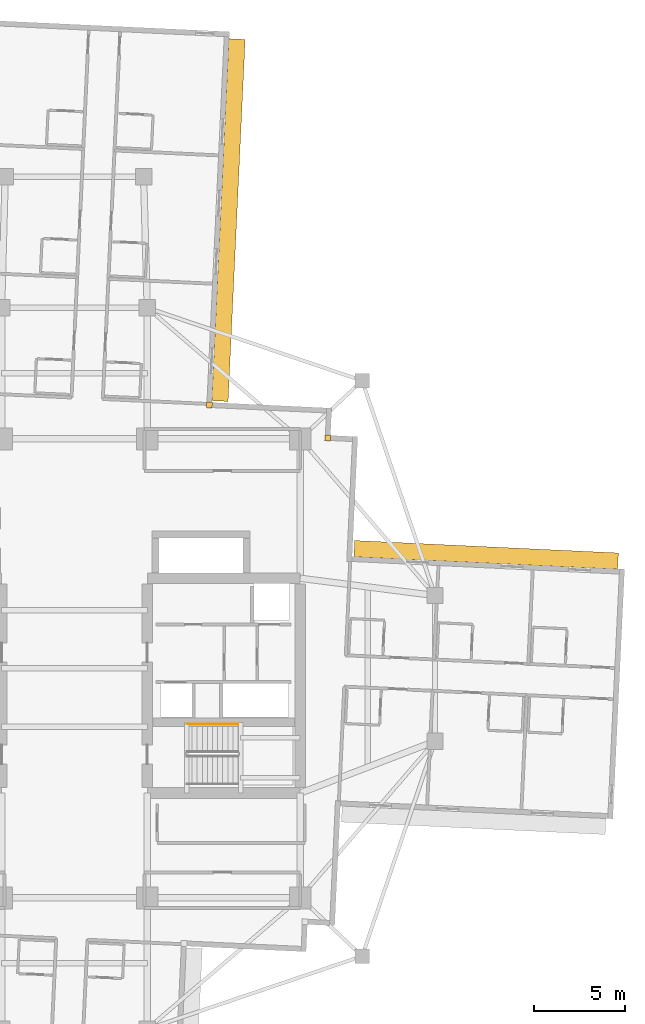
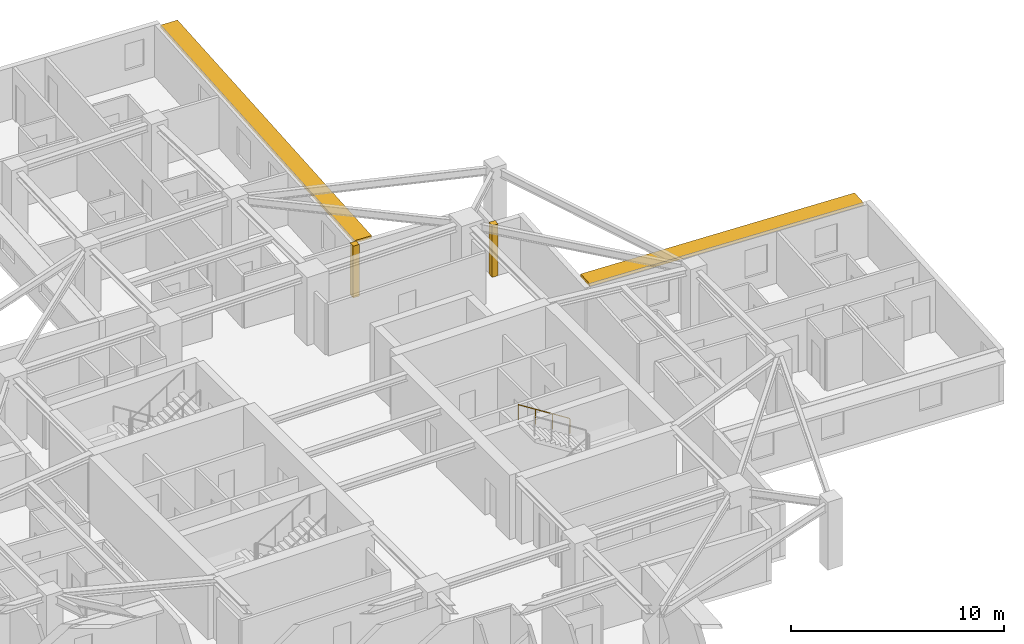
# One storey, part 14 of 14: 2 coverings, 2 shading devices, 1 railing.
"""IFC4 building model written with IfcOpenShell, lengths in metres."""

from ifc_helpers import new_model, si_unit, direction, frame, origin, origin_2d, place, context, subcontext, project, spatial, rectangle, circle, extrude, material, layer, layer_set, type_object, element, save


model = new_model("IFC4")

# Units and contexts
model_context = context("Model", 3, precision=1e-05, world=origin(), true_north=direction((0.0, 1.0)))
body_context = subcontext(model_context, "Body", "Model", "MODEL_VIEW")
ifc_project = project(units=[si_unit("LENGTHUNIT", "METRE"), si_unit("AREAUNIT", "SQUARE_METRE"), si_unit("VOLUMEUNIT", "CUBIC_METRE"), si_unit("PLANEANGLEUNIT", "RADIAN"), si_unit("MASSUNIT", "GRAM", prefix="KILO")], contexts=[model_context])

# Site, building, storey
site_placement = place(None, origin())
site = spatial("IfcSite", under=ifc_project, at=site_placement, CompositionType="ELEMENT")
building_placement = place(site_placement, origin())
building = spatial("IfcBuilding", under=site, at=building_placement, Name="Qingluan Cross Belvedere", CompositionType="ELEMENT")
storey_placement = place(building_placement, frame((0.0, 0.0, 156.60009765625)))
storey = spatial("IfcBuildingStorey", under=building, at=storey_placement, Name="L39", CompositionType="ELEMENT", Elevation=156.60009765625)

# Coverings
ifc_material_1 = material(Name="Precast concrete C45", Category="concrete")
ifc_layer_1 = layer(ifc_material_1, 0.1201171875, Name="ConcreteSpandrelCladding_120")
ifc_layer_set_1 = layer_set([ifc_layer_1], Name="Precast concrete C45")
covering_type = type_object("IfcCoveringType", Name="ConcreteSpandrelCladding_120", PredefinedType="CLADDING", material=ifc_layer_set_1)
for number, where, z_axis, x_axis, name in (
    (1, (13.911865234375, 12.65869140625, 0.0), (0.0, 0.0, 1.0), (0.998889874962, -0.04710645071, 0.0), "Corner closure L39-NE1"),
    (2, (7.40966796875, 14.467041015625, 0.0), (0.0, 0.0, 1.0), (0.998889874962, -0.04710645071, 0.0), "Corner closure L39-NE2"),
):
    element("IfcCovering", number, at=place(storey_placement, frame(where, z_axis=z_axis, x_axis=x_axis)), inside=storey, type_object=covering_type, Name=name, PredefinedType="CLADDING", context=body_context, shape_type="SweptSolid", body=[
        extrude(rectangle(XDim=0.320068359375, YDim=0.320068359375, at=origin_2d()), origin(), (0.0, 0.0, 1.0), 2.969970703125),
    ])

# Shading devices
ifc_material_2 = material(Name="Precast concrete C45", Category="concrete")
ifc_layer_2 = layer(ifc_material_2, 0.159912109375, Name="ConcreteSunshadeBand_900")
ifc_layer_set_2 = layer_set([ifc_layer_2], Name="Precast concrete C45")
shading_device_type = type_object("IfcShadingDeviceType", Name="ConcreteSunshadeBand_900", PredefinedType="USERDEFINED", material=ifc_layer_set_2)
shading_device_1_placement = place(storey_placement, frame((22.608642578125, 6.23193359375, 2.7900390625), z_axis=(0.0, 0.0, 1.0), x_axis=(-0.99888976521, 0.047108777928, 0.0)))
element("IfcShadingDevice", 3, at=shading_device_1_placement, inside=storey, type_object=shading_device_type, Name="Concrete SUNSHADE L39-EB", ObjectType="SUNSHADE", PredefinedType="USERDEFINED", context=body_context, shape_type="SweptSolid", body=[
    extrude(rectangle(XDim=14.5, YDim=0.89990234375, at=origin_2d()), origin(), (0.0, 0.0, 1.0), 0.159912109375),
])
shading_device_2_placement = place(storey_placement, frame((8.458984375, 24.618896484375, 2.7900390625), z_axis=(0.0, 0.0, 1.0), x_axis=(0.047104684445, 0.998889958255, 0.0)))
element("IfcShadingDevice", 4, at=shading_device_2_placement, inside=storey, type_object=shading_device_type, Name="Concrete SUNSHADE L39-NA", ObjectType="SUNSHADE", PredefinedType="USERDEFINED", context=body_context, shape_type="SweptSolid", body=[
    extrude(rectangle(XDim=19.89990234375, YDim=0.89990234375, at=origin_2d()), origin(), (0.0, 0.0, 1.0), 0.159912109375),
])

# Railing
ifc_material_3 = material(Name="Brushed stainless steel tubular handrail", Category="steel")
railing_type = type_object("IfcRailingType", Name="StairPitchHandrail_900", PredefinedType="HANDRAIL", material=ifc_material_3)
railing_placement = place(storey_placement, frame((8.97998046875, -3.050048828125, 2.127197265625)))
element("IfcRailing", 5, at=railing_placement, inside=storey, type_object=railing_type, Name="L39 ST2 stair handrail 2", PredefinedType="HANDRAIL", context=body_context, shape_type="SweptSolid", body=[
    extrude(circle(Radius=0.02392578125, at=origin_2d()), frame((0.0, 0.0, 0.8759765625), z_axis=(-0.844908973607, 0.0, 0.534910110503), x_axis=(0.0, -1.0, 0.0)), (0.0, 0.0, 1.0), 3.31396484375),
    extrude(circle(Radius=0.02099609375, at=origin_2d()), origin(), (0.0, 0.0, 1.0), 0.851806640625),
    extrude(circle(Radius=0.02099609375, at=origin_2d()), frame((-0.933349609375, 0.0, 0.5908203125)), (0.0, 0.0, 1.0), 0.851806640625),
    extrude(circle(Radius=0.02099609375, at=origin_2d()), frame((-1.86669921875, 0.0, 1.181884765625)), (0.0, 0.0, 1.0), 0.851806640625),
    extrude(circle(Radius=0.02099609375, at=origin_2d()), frame((-2.800048828125, 0.0, 1.772705078125)), (0.0, 0.0, 1.0), 0.851806640625),
])

save(model, "model.ifc")
